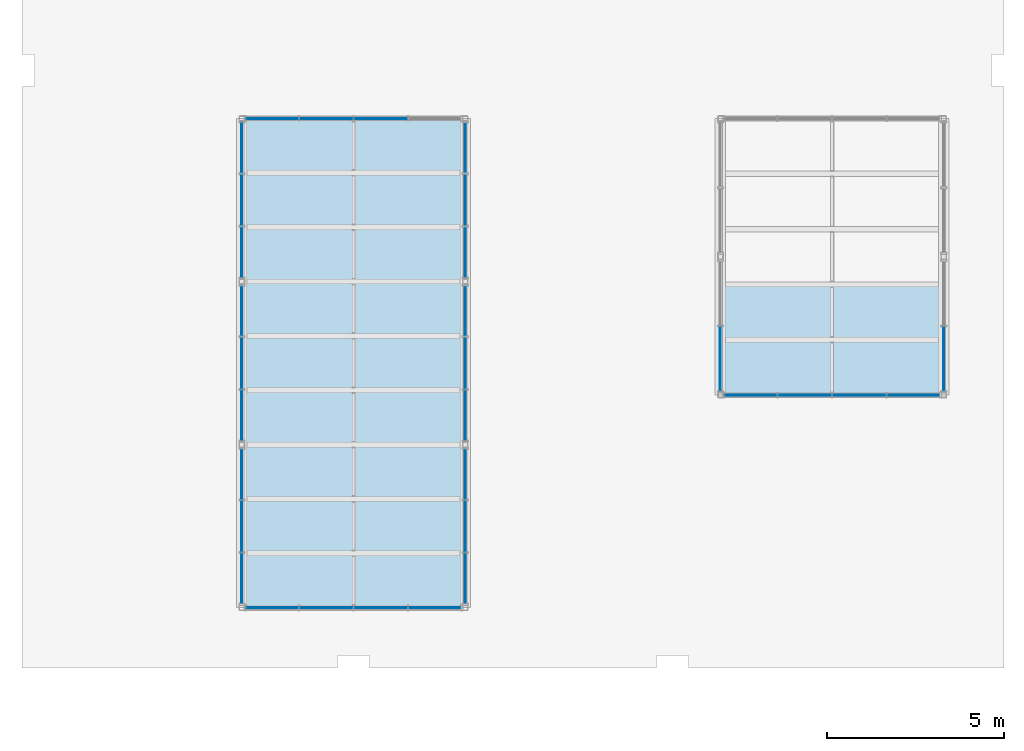
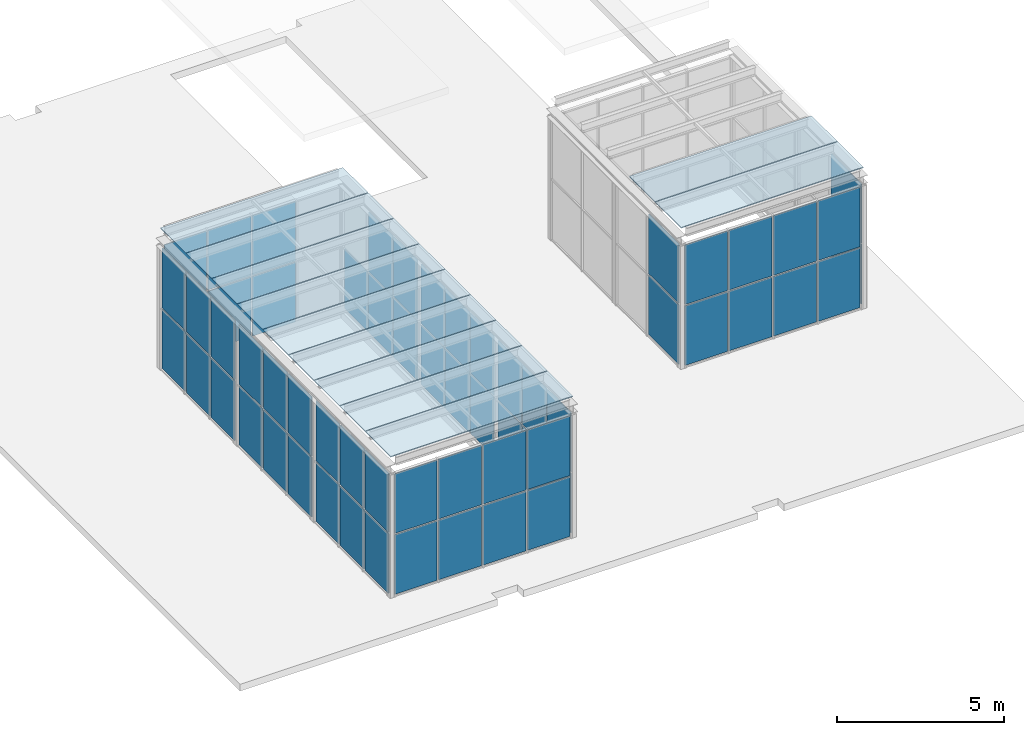
# One storey, part 14 of 25: 72 plates, 11 elements without a shape of their own.
"""IFC4 building model written with IfcOpenShell, lengths in metres."""

from ifc_helpers import new_model, si_unit, direction, frame, origin, origin_2d, place, context, subcontext, project, spatial, rectangle, extrude, material, layer, layer_set, type_object, element, aggregate, save


model = new_model("IFC4")

# Units and contexts
model_context = context("Model", 3, precision=1e-05, world=origin(), true_north=direction((0.0, 1.0)))
body_context = subcontext(model_context, "Body", "Model", "MODEL_VIEW")
ifc_project = project(units=[si_unit("LENGTHUNIT", "METRE"), si_unit("AREAUNIT", "SQUARE_METRE"), si_unit("VOLUMEUNIT", "CUBIC_METRE"), si_unit("PLANEANGLEUNIT", "RADIAN"), si_unit("MASSUNIT", "GRAM", prefix="KILO")], contexts=[model_context])

# Site, building, storey
site_placement = place(None, origin())
site = spatial("IfcSite", under=ifc_project, at=site_placement, CompositionType="ELEMENT")
building_placement = place(site_placement, origin())
building = spatial("IfcBuilding", under=site, at=building_placement, Name="Aurelan Courthouse", CompositionType="ELEMENT")
storey_placement = place(building_placement, frame((0.0, 0.0, 44.39990234375)))
storey = spatial("IfcBuildingStorey", under=building, at=storey_placement, Name="L08", CompositionType="ELEMENT", Elevation=44.39990234375)

# Curtain wall, plates
ifc_material_1 = material(Name="Bronze-finished aluminium and glass", Category="aluminium")
ifc_layer_1 = layer(ifc_material_1, 0.14990234375)
ifc_layer_set_1 = layer_set([ifc_layer_1], Name="Bronze-finished aluminium and glass")
curtain_wall_type_1 = type_object("IfcCurtainWallType", Name="Lantern wall 6150 x 4500", PredefinedType="NOTDEFINED", material=ifc_layer_set_1)
curtain_wall_1_placement = place(storey_placement, origin())
curtain_wall_1 = element("IfcCurtainWall", 1, at=curtain_wall_1_placement, inside=storey, type_object=curtain_wall_type_1, Name="Curtain wall CW-L08-V2101", PredefinedType="NOTDEFINED")
ifc_material_2 = material(Name="Laminated low-emissivity glass", Category="glass")
ifc_layer_2 = layer(ifc_material_2, 0.028076171875)
ifc_layer_set_2 = layer_set([ifc_layer_2], Name="Laminated low-emissivity glass")
plate_type_1 = type_object("IfcPlateType", Name="Lantern glass panel 28", PredefinedType="CURTAIN_PANEL", material=ifc_layer_set_2)
plate_1_placement = place(storey_placement, frame((42.706298828125, 38.85009765625, 0.05029296875), z_axis=(0.0, 0.0, 1.0), x_axis=(1.0, 0.0, 0.0)))
plate_1 = element("IfcPlate", 2, at=plate_1_placement, type_object=plate_type_1, Name="CW-L08-V2101 panel 1.1", PredefinedType="CURTAIN_PANEL", context=body_context, shape_type="SweptSolid", body=[
    extrude(rectangle(XDim=1.46240234375, YDim=0.028076171875, at=origin_2d()), origin(), (0.0, 0.0, 1.0), 2.175048828125),
])
plate_2_placement = place(storey_placement, frame((42.706298828125, 38.85009765625, 2.27490234375), z_axis=(0.0, 0.0, 1.0), x_axis=(1.0, 0.0, 0.0)))
plate_2 = element("IfcPlate", 3, at=plate_2_placement, type_object=plate_type_1, Name="CW-L08-V2101 panel 1.2", PredefinedType="CURTAIN_PANEL", context=body_context, shape_type="SweptSolid", body=[
    extrude(rectangle(XDim=1.46240234375, YDim=0.028076171875, at=origin_2d()), origin(), (0.0, 0.0, 1.0), 2.175048828125),
])
plate_3_placement = place(storey_placement, frame((44.231201171875, 38.85009765625, 0.05029296875), z_axis=(0.0, 0.0, 1.0), x_axis=(1.0, 0.0, 0.0)))
plate_3 = element("IfcPlate", 4, at=plate_3_placement, type_object=plate_type_1, Name="CW-L08-V2101 panel 2.1", PredefinedType="CURTAIN_PANEL", context=body_context, shape_type="SweptSolid", body=[
    extrude(rectangle(XDim=1.487548828125, YDim=0.028076171875, at=origin_2d()), origin(), (0.0, 0.0, 1.0), 2.175048828125),
])
plate_4_placement = place(storey_placement, frame((44.231201171875, 38.85009765625, 2.27490234375), z_axis=(0.0, 0.0, 1.0), x_axis=(1.0, 0.0, 0.0)))
plate_4 = element("IfcPlate", 5, at=plate_4_placement, type_object=plate_type_1, Name="CW-L08-V2101 panel 2.2", PredefinedType="CURTAIN_PANEL", context=body_context, shape_type="SweptSolid", body=[
    extrude(rectangle(XDim=1.487548828125, YDim=0.028076171875, at=origin_2d()), origin(), (0.0, 0.0, 1.0), 2.175048828125),
])
plate_5_placement = place(storey_placement, frame((45.768798828125, 38.85009765625, 0.05029296875), z_axis=(0.0, 0.0, 1.0), x_axis=(1.0, 0.0, 0.0)))
plate_5 = element("IfcPlate", 6, at=plate_5_placement, type_object=plate_type_1, Name="CW-L08-V2101 panel 3.1", PredefinedType="CURTAIN_PANEL", context=body_context, shape_type="SweptSolid", body=[
    extrude(rectangle(XDim=1.487548828125, YDim=0.028076171875, at=origin_2d()), origin(), (0.0, 0.0, 1.0), 2.175048828125),
])
plate_6_placement = place(storey_placement, frame((45.768798828125, 38.85009765625, 2.27490234375), z_axis=(0.0, 0.0, 1.0), x_axis=(1.0, 0.0, 0.0)))
plate_6 = element("IfcPlate", 7, at=plate_6_placement, type_object=plate_type_1, Name="CW-L08-V2101 panel 3.2", PredefinedType="CURTAIN_PANEL", context=body_context, shape_type="SweptSolid", body=[
    extrude(rectangle(XDim=1.487548828125, YDim=0.028076171875, at=origin_2d()), origin(), (0.0, 0.0, 1.0), 2.175048828125),
])
plate_7_placement = place(storey_placement, frame((47.293701171875, 38.85009765625, 0.05029296875), z_axis=(0.0, 0.0, 1.0), x_axis=(1.0, 0.0, 0.0)))
plate_7 = element("IfcPlate", 8, at=plate_7_placement, type_object=plate_type_1, Name="CW-L08-V2101 panel 4.1", PredefinedType="CURTAIN_PANEL", context=body_context, shape_type="SweptSolid", body=[
    extrude(rectangle(XDim=1.46240234375, YDim=0.028076171875, at=origin_2d()), origin(), (0.0, 0.0, 1.0), 2.175048828125),
])
plate_8_placement = place(storey_placement, frame((47.293701171875, 38.85009765625, 2.27490234375), z_axis=(0.0, 0.0, 1.0), x_axis=(1.0, 0.0, 0.0)))
plate_8 = element("IfcPlate", 9, at=plate_8_placement, type_object=plate_type_1, Name="CW-L08-V2101 panel 4.2", PredefinedType="CURTAIN_PANEL", context=body_context, shape_type="SweptSolid", body=[
    extrude(rectangle(XDim=1.46240234375, YDim=0.028076171875, at=origin_2d()), origin(), (0.0, 0.0, 1.0), 2.175048828125),
])
aggregate(curtain_wall_1, [plate_1, plate_2, plate_3, plate_4, plate_5, plate_6, plate_7, plate_8])

ifc_layer_3 = layer(ifc_material_1, 0.14990234375)
ifc_layer_set_3 = layer_set([ifc_layer_3], Name="Bronze-finished aluminium and glass")
curtain_wall_type_2 = type_object("IfcCurtainWallType", Name="Lantern wall 4450 x 4500", PredefinedType="NOTDEFINED", material=ifc_layer_set_3)
curtain_wall_2_placement = place(storey_placement, origin())
curtain_wall_2 = element("IfcCurtainWall", 10, at=curtain_wall_2_placement, inside=storey, type_object=curtain_wall_type_2, Name="Curtain wall CW-L08-V2102", PredefinedType="NOTDEFINED")
plate_9_placement = place(storey_placement, frame((41.85009765625, 39.67919921875, 0.05029296875), z_axis=(0.0, 0.0, 1.0), x_axis=(0.0, 1.0, 0.0)))
plate_9 = element("IfcPlate", 11, at=plate_9_placement, type_object=plate_type_1, Name="CW-L08-V2102 panel 1.1", PredefinedType="CURTAIN_PANEL", context=body_context, shape_type="SweptSolid", body=[
    extrude(rectangle(XDim=1.408447265625, YDim=0.028076171875, at=origin_2d()), origin(), (0.0, 0.0, 1.0), 2.175048828125),
])
plate_10_placement = place(storey_placement, frame((41.85009765625, 39.67919921875, 2.27490234375), z_axis=(0.0, 0.0, 1.0), x_axis=(0.0, 1.0, 0.0)))
plate_10 = element("IfcPlate", 12, at=plate_10_placement, type_object=plate_type_1, Name="CW-L08-V2102 panel 1.2", PredefinedType="CURTAIN_PANEL", context=body_context, shape_type="SweptSolid", body=[
    extrude(rectangle(XDim=1.408447265625, YDim=0.028076171875, at=origin_2d()), origin(), (0.0, 0.0, 1.0), 2.175048828125),
])
plate_11_placement = place(storey_placement, frame((41.85009765625, 41.14990234375, 0.05029296875), z_axis=(0.0, 0.0, 1.0), x_axis=(0.0, 1.0, 0.0)))
plate_11 = element("IfcPlate", 13, at=plate_11_placement, type_object=plate_type_1, Name="CW-L08-V2102 panel 2.1", PredefinedType="CURTAIN_PANEL", context=body_context, shape_type="SweptSolid", body=[
    extrude(rectangle(XDim=1.433349609375, YDim=0.028076171875, at=origin_2d()), origin(), (0.0, 0.0, 1.0), 2.175048828125),
])
plate_12_placement = place(storey_placement, frame((41.85009765625, 41.14990234375, 2.27490234375), z_axis=(0.0, 0.0, 1.0), x_axis=(0.0, 1.0, 0.0)))
plate_12 = element("IfcPlate", 14, at=plate_12_placement, type_object=plate_type_1, Name="CW-L08-V2102 panel 2.2", PredefinedType="CURTAIN_PANEL", context=body_context, shape_type="SweptSolid", body=[
    extrude(rectangle(XDim=1.433349609375, YDim=0.028076171875, at=origin_2d()), origin(), (0.0, 0.0, 1.0), 2.175048828125),
])
plate_13_placement = place(storey_placement, frame((41.85009765625, 42.620849609375, 0.05029296875), z_axis=(0.0, 0.0, 1.0), x_axis=(0.0, 1.0, 0.0)))
plate_13 = element("IfcPlate", 15, at=plate_13_placement, type_object=plate_type_1, Name="CW-L08-V2102 panel 3.1", PredefinedType="CURTAIN_PANEL", context=body_context, shape_type="SweptSolid", body=[
    extrude(rectangle(XDim=1.408447265625, YDim=0.028076171875, at=origin_2d()), origin(), (0.0, 0.0, 1.0), 2.175048828125),
])
plate_14_placement = place(storey_placement, frame((41.85009765625, 42.620849609375, 2.27490234375), z_axis=(0.0, 0.0, 1.0), x_axis=(0.0, 1.0, 0.0)))
plate_14 = element("IfcPlate", 16, at=plate_14_placement, type_object=plate_type_1, Name="CW-L08-V2102 panel 3.2", PredefinedType="CURTAIN_PANEL", context=body_context, shape_type="SweptSolid", body=[
    extrude(rectangle(XDim=1.408447265625, YDim=0.028076171875, at=origin_2d()), origin(), (0.0, 0.0, 1.0), 2.175048828125),
])
aggregate(curtain_wall_2, [plate_9, plate_10, plate_11, plate_12, plate_13, plate_14])

curtain_wall_3_placement = place(storey_placement, origin())
curtain_wall_3 = element("IfcCurtainWall", 17, at=curtain_wall_3_placement, inside=storey, type_object=curtain_wall_type_2, Name="Curtain wall CW-L08-V2103", PredefinedType="NOTDEFINED")
plate_15_placement = place(storey_placement, frame((48.14990234375, 39.67919921875, 0.05029296875), z_axis=(0.0, 0.0, 1.0), x_axis=(0.0, 1.0, 0.0)))
plate_15 = element("IfcPlate", 18, at=plate_15_placement, type_object=plate_type_1, Name="CW-L08-V2103 panel 1.1", PredefinedType="CURTAIN_PANEL", context=body_context, shape_type="SweptSolid", body=[
    extrude(rectangle(XDim=1.408447265625, YDim=0.028076171875, at=origin_2d()), origin(), (0.0, 0.0, 1.0), 2.175048828125),
])
plate_16_placement = place(storey_placement, frame((48.14990234375, 39.67919921875, 2.27490234375), z_axis=(0.0, 0.0, 1.0), x_axis=(0.0, 1.0, 0.0)))
plate_16 = element("IfcPlate", 19, at=plate_16_placement, type_object=plate_type_1, Name="CW-L08-V2103 panel 1.2", PredefinedType="CURTAIN_PANEL", context=body_context, shape_type="SweptSolid", body=[
    extrude(rectangle(XDim=1.408447265625, YDim=0.028076171875, at=origin_2d()), origin(), (0.0, 0.0, 1.0), 2.175048828125),
])
plate_17_placement = place(storey_placement, frame((48.14990234375, 41.14990234375, 0.05029296875), z_axis=(0.0, 0.0, 1.0), x_axis=(0.0, 1.0, 0.0)))
plate_17 = element("IfcPlate", 20, at=plate_17_placement, type_object=plate_type_1, Name="CW-L08-V2103 panel 2.1", PredefinedType="CURTAIN_PANEL", context=body_context, shape_type="SweptSolid", body=[
    extrude(rectangle(XDim=1.433349609375, YDim=0.028076171875, at=origin_2d()), origin(), (0.0, 0.0, 1.0), 2.175048828125),
])
plate_18_placement = place(storey_placement, frame((48.14990234375, 41.14990234375, 2.27490234375), z_axis=(0.0, 0.0, 1.0), x_axis=(0.0, 1.0, 0.0)))
plate_18 = element("IfcPlate", 21, at=plate_18_placement, type_object=plate_type_1, Name="CW-L08-V2103 panel 2.2", PredefinedType="CURTAIN_PANEL", context=body_context, shape_type="SweptSolid", body=[
    extrude(rectangle(XDim=1.433349609375, YDim=0.028076171875, at=origin_2d()), origin(), (0.0, 0.0, 1.0), 2.175048828125),
])
plate_19_placement = place(storey_placement, frame((48.14990234375, 42.620849609375, 0.05029296875), z_axis=(0.0, 0.0, 1.0), x_axis=(0.0, 1.0, 0.0)))
plate_19 = element("IfcPlate", 22, at=plate_19_placement, type_object=plate_type_1, Name="CW-L08-V2103 panel 3.1", PredefinedType="CURTAIN_PANEL", context=body_context, shape_type="SweptSolid", body=[
    extrude(rectangle(XDim=1.408447265625, YDim=0.028076171875, at=origin_2d()), origin(), (0.0, 0.0, 1.0), 2.175048828125),
])
plate_20_placement = place(storey_placement, frame((48.14990234375, 42.620849609375, 2.27490234375), z_axis=(0.0, 0.0, 1.0), x_axis=(0.0, 1.0, 0.0)))
plate_20 = element("IfcPlate", 23, at=plate_20_placement, type_object=plate_type_1, Name="CW-L08-V2103 panel 3.2", PredefinedType="CURTAIN_PANEL", context=body_context, shape_type="SweptSolid", body=[
    extrude(rectangle(XDim=1.408447265625, YDim=0.028076171875, at=origin_2d()), origin(), (0.0, 0.0, 1.0), 2.175048828125),
])
aggregate(curtain_wall_3, [plate_15, plate_16, plate_17, plate_18, plate_19, plate_20])

curtain_wall_4_placement = place(storey_placement, origin())
curtain_wall_4 = element("IfcCurtainWall", 24, at=curtain_wall_4_placement, inside=storey, type_object=curtain_wall_type_2, Name="Curtain wall CW-L08-V2104", PredefinedType="NOTDEFINED")
plate_21_placement = place(storey_placement, frame((41.85009765625, 44.279052734375, 0.05029296875), z_axis=(0.0, 0.0, 1.0), x_axis=(0.0, 1.0, 0.0)))
plate_21 = element("IfcPlate", 25, at=plate_21_placement, type_object=plate_type_1, Name="CW-L08-V2104 panel 1.1", PredefinedType="CURTAIN_PANEL", context=body_context, shape_type="SweptSolid", body=[
    extrude(rectangle(XDim=1.408447265625, YDim=0.028076171875, at=origin_2d()), origin(), (0.0, 0.0, 1.0), 2.175048828125),
])
plate_22_placement = place(storey_placement, frame((41.85009765625, 44.279052734375, 2.27490234375), z_axis=(0.0, 0.0, 1.0), x_axis=(0.0, 1.0, 0.0)))
plate_22 = element("IfcPlate", 26, at=plate_22_placement, type_object=plate_type_1, Name="CW-L08-V2104 panel 1.2", PredefinedType="CURTAIN_PANEL", context=body_context, shape_type="SweptSolid", body=[
    extrude(rectangle(XDim=1.408447265625, YDim=0.028076171875, at=origin_2d()), origin(), (0.0, 0.0, 1.0), 2.175048828125),
])
plate_23_placement = place(storey_placement, frame((41.85009765625, 45.75, 0.05029296875), z_axis=(0.0, 0.0, 1.0), x_axis=(0.0, 1.0, 0.0)))
plate_23 = element("IfcPlate", 27, at=plate_23_placement, type_object=plate_type_1, Name="CW-L08-V2104 panel 2.1", PredefinedType="CURTAIN_PANEL", context=body_context, shape_type="SweptSolid", body=[
    extrude(rectangle(XDim=1.433349609375, YDim=0.028076171875, at=origin_2d()), origin(), (0.0, 0.0, 1.0), 2.175048828125),
])
plate_24_placement = place(storey_placement, frame((41.85009765625, 45.75, 2.27490234375), z_axis=(0.0, 0.0, 1.0), x_axis=(0.0, 1.0, 0.0)))
plate_24 = element("IfcPlate", 28, at=plate_24_placement, type_object=plate_type_1, Name="CW-L08-V2104 panel 2.2", PredefinedType="CURTAIN_PANEL", context=body_context, shape_type="SweptSolid", body=[
    extrude(rectangle(XDim=1.433349609375, YDim=0.028076171875, at=origin_2d()), origin(), (0.0, 0.0, 1.0), 2.175048828125),
])
plate_25_placement = place(storey_placement, frame((41.85009765625, 47.220947265625, 0.05029296875), z_axis=(0.0, 0.0, 1.0), x_axis=(0.0, 1.0, 0.0)))
plate_25 = element("IfcPlate", 29, at=plate_25_placement, type_object=plate_type_1, Name="CW-L08-V2104 panel 3.1", PredefinedType="CURTAIN_PANEL", context=body_context, shape_type="SweptSolid", body=[
    extrude(rectangle(XDim=1.408447265625, YDim=0.028076171875, at=origin_2d()), origin(), (0.0, 0.0, 1.0), 2.175048828125),
])
plate_26_placement = place(storey_placement, frame((41.85009765625, 47.220947265625, 2.27490234375), z_axis=(0.0, 0.0, 1.0), x_axis=(0.0, 1.0, 0.0)))
plate_26 = element("IfcPlate", 30, at=plate_26_placement, type_object=plate_type_1, Name="CW-L08-V2104 panel 3.2", PredefinedType="CURTAIN_PANEL", context=body_context, shape_type="SweptSolid", body=[
    extrude(rectangle(XDim=1.408447265625, YDim=0.028076171875, at=origin_2d()), origin(), (0.0, 0.0, 1.0), 2.175048828125),
])
aggregate(curtain_wall_4, [plate_21, plate_22, plate_23, plate_24, plate_25, plate_26])

curtain_wall_5_placement = place(storey_placement, origin())
curtain_wall_5 = element("IfcCurtainWall", 31, at=curtain_wall_5_placement, inside=storey, type_object=curtain_wall_type_2, Name="Curtain wall CW-L08-V2105", PredefinedType="NOTDEFINED")
plate_27_placement = place(storey_placement, frame((48.14990234375, 44.279052734375, 0.05029296875), z_axis=(0.0, 0.0, 1.0), x_axis=(0.0, 1.0, 0.0)))
plate_27 = element("IfcPlate", 32, at=plate_27_placement, type_object=plate_type_1, Name="CW-L08-V2105 panel 1.1", PredefinedType="CURTAIN_PANEL", context=body_context, shape_type="SweptSolid", body=[
    extrude(rectangle(XDim=1.408447265625, YDim=0.028076171875, at=origin_2d()), origin(), (0.0, 0.0, 1.0), 2.175048828125),
])
plate_28_placement = place(storey_placement, frame((48.14990234375, 44.279052734375, 2.27490234375), z_axis=(0.0, 0.0, 1.0), x_axis=(0.0, 1.0, 0.0)))
plate_28 = element("IfcPlate", 33, at=plate_28_placement, type_object=plate_type_1, Name="CW-L08-V2105 panel 1.2", PredefinedType="CURTAIN_PANEL", context=body_context, shape_type="SweptSolid", body=[
    extrude(rectangle(XDim=1.408447265625, YDim=0.028076171875, at=origin_2d()), origin(), (0.0, 0.0, 1.0), 2.175048828125),
])
plate_29_placement = place(storey_placement, frame((48.14990234375, 45.75, 0.05029296875), z_axis=(0.0, 0.0, 1.0), x_axis=(0.0, 1.0, 0.0)))
plate_29 = element("IfcPlate", 34, at=plate_29_placement, type_object=plate_type_1, Name="CW-L08-V2105 panel 2.1", PredefinedType="CURTAIN_PANEL", context=body_context, shape_type="SweptSolid", body=[
    extrude(rectangle(XDim=1.433349609375, YDim=0.028076171875, at=origin_2d()), origin(), (0.0, 0.0, 1.0), 2.175048828125),
])
plate_30_placement = place(storey_placement, frame((48.14990234375, 45.75, 2.27490234375), z_axis=(0.0, 0.0, 1.0), x_axis=(0.0, 1.0, 0.0)))
plate_30 = element("IfcPlate", 35, at=plate_30_placement, type_object=plate_type_1, Name="CW-L08-V2105 panel 2.2", PredefinedType="CURTAIN_PANEL", context=body_context, shape_type="SweptSolid", body=[
    extrude(rectangle(XDim=1.433349609375, YDim=0.028076171875, at=origin_2d()), origin(), (0.0, 0.0, 1.0), 2.175048828125),
])
plate_31_placement = place(storey_placement, frame((48.14990234375, 47.220947265625, 0.05029296875), z_axis=(0.0, 0.0, 1.0), x_axis=(0.0, 1.0, 0.0)))
plate_31 = element("IfcPlate", 36, at=plate_31_placement, type_object=plate_type_1, Name="CW-L08-V2105 panel 3.1", PredefinedType="CURTAIN_PANEL", context=body_context, shape_type="SweptSolid", body=[
    extrude(rectangle(XDim=1.408447265625, YDim=0.028076171875, at=origin_2d()), origin(), (0.0, 0.0, 1.0), 2.175048828125),
])
plate_32_placement = place(storey_placement, frame((48.14990234375, 47.220947265625, 2.27490234375), z_axis=(0.0, 0.0, 1.0), x_axis=(0.0, 1.0, 0.0)))
plate_32 = element("IfcPlate", 37, at=plate_32_placement, type_object=plate_type_1, Name="CW-L08-V2105 panel 3.2", PredefinedType="CURTAIN_PANEL", context=body_context, shape_type="SweptSolid", body=[
    extrude(rectangle(XDim=1.408447265625, YDim=0.028076171875, at=origin_2d()), origin(), (0.0, 0.0, 1.0), 2.175048828125),
])
aggregate(curtain_wall_5, [plate_27, plate_28, plate_29, plate_30, plate_31, plate_32])

curtain_wall_6_placement = place(storey_placement, origin())
curtain_wall_6 = element("IfcCurtainWall", 38, at=curtain_wall_6_placement, inside=storey, type_object=curtain_wall_type_2, Name="Curtain wall CW-L08-V2106", PredefinedType="NOTDEFINED")
plate_33_placement = place(storey_placement, frame((41.85009765625, 48.879150390625, 0.05029296875), z_axis=(0.0, 0.0, 1.0), x_axis=(0.0, 1.0, 0.0)))
plate_33 = element("IfcPlate", 39, at=plate_33_placement, type_object=plate_type_1, Name="CW-L08-V2106 panel 1.1", PredefinedType="CURTAIN_PANEL", context=body_context, shape_type="SweptSolid", body=[
    extrude(rectangle(XDim=1.408447265625, YDim=0.028076171875, at=origin_2d()), origin(), (0.0, 0.0, 1.0), 2.175048828125),
])
plate_34_placement = place(storey_placement, frame((41.85009765625, 48.879150390625, 2.27490234375), z_axis=(0.0, 0.0, 1.0), x_axis=(0.0, 1.0, 0.0)))
plate_34 = element("IfcPlate", 40, at=plate_34_placement, type_object=plate_type_1, Name="CW-L08-V2106 panel 1.2", PredefinedType="CURTAIN_PANEL", context=body_context, shape_type="SweptSolid", body=[
    extrude(rectangle(XDim=1.408447265625, YDim=0.028076171875, at=origin_2d()), origin(), (0.0, 0.0, 1.0), 2.175048828125),
])
plate_35_placement = place(storey_placement, frame((41.85009765625, 50.35009765625, 0.05029296875), z_axis=(0.0, 0.0, 1.0), x_axis=(0.0, 1.0, 0.0)))
plate_35 = element("IfcPlate", 41, at=plate_35_placement, type_object=plate_type_1, Name="CW-L08-V2106 panel 2.1", PredefinedType="CURTAIN_PANEL", context=body_context, shape_type="SweptSolid", body=[
    extrude(rectangle(XDim=1.433349609375, YDim=0.028076171875, at=origin_2d()), origin(), (0.0, 0.0, 1.0), 2.175048828125),
])
plate_36_placement = place(storey_placement, frame((41.85009765625, 50.35009765625, 2.27490234375), z_axis=(0.0, 0.0, 1.0), x_axis=(0.0, 1.0, 0.0)))
plate_36 = element("IfcPlate", 42, at=plate_36_placement, type_object=plate_type_1, Name="CW-L08-V2106 panel 2.2", PredefinedType="CURTAIN_PANEL", context=body_context, shape_type="SweptSolid", body=[
    extrude(rectangle(XDim=1.433349609375, YDim=0.028076171875, at=origin_2d()), origin(), (0.0, 0.0, 1.0), 2.175048828125),
])
plate_37_placement = place(storey_placement, frame((41.85009765625, 51.82080078125, 0.05029296875), z_axis=(0.0, 0.0, 1.0), x_axis=(0.0, 1.0, 0.0)))
plate_37 = element("IfcPlate", 43, at=plate_37_placement, type_object=plate_type_1, Name="CW-L08-V2106 panel 3.1", PredefinedType="CURTAIN_PANEL", context=body_context, shape_type="SweptSolid", body=[
    extrude(rectangle(XDim=1.408447265625, YDim=0.028076171875, at=origin_2d()), origin(), (0.0, 0.0, 1.0), 2.175048828125),
])
plate_38_placement = place(storey_placement, frame((41.85009765625, 51.82080078125, 2.27490234375), z_axis=(0.0, 0.0, 1.0), x_axis=(0.0, 1.0, 0.0)))
plate_38 = element("IfcPlate", 44, at=plate_38_placement, type_object=plate_type_1, Name="CW-L08-V2106 panel 3.2", PredefinedType="CURTAIN_PANEL", context=body_context, shape_type="SweptSolid", body=[
    extrude(rectangle(XDim=1.408447265625, YDim=0.028076171875, at=origin_2d()), origin(), (0.0, 0.0, 1.0), 2.175048828125),
])
aggregate(curtain_wall_6, [plate_33, plate_34, plate_35, plate_36, plate_37, plate_38])

curtain_wall_7_placement = place(storey_placement, origin())
curtain_wall_7 = element("IfcCurtainWall", 45, at=curtain_wall_7_placement, inside=storey, type_object=curtain_wall_type_2, Name="Curtain wall CW-L08-V2107", PredefinedType="NOTDEFINED")
plate_39_placement = place(storey_placement, frame((48.14990234375, 48.879150390625, 0.05029296875), z_axis=(0.0, 0.0, 1.0), x_axis=(0.0, 1.0, 0.0)))
plate_39 = element("IfcPlate", 46, at=plate_39_placement, type_object=plate_type_1, Name="CW-L08-V2107 panel 1.1", PredefinedType="CURTAIN_PANEL", context=body_context, shape_type="SweptSolid", body=[
    extrude(rectangle(XDim=1.408447265625, YDim=0.028076171875, at=origin_2d()), origin(), (0.0, 0.0, 1.0), 2.175048828125),
])
plate_40_placement = place(storey_placement, frame((48.14990234375, 48.879150390625, 2.27490234375), z_axis=(0.0, 0.0, 1.0), x_axis=(0.0, 1.0, 0.0)))
plate_40 = element("IfcPlate", 47, at=plate_40_placement, type_object=plate_type_1, Name="CW-L08-V2107 panel 1.2", PredefinedType="CURTAIN_PANEL", context=body_context, shape_type="SweptSolid", body=[
    extrude(rectangle(XDim=1.408447265625, YDim=0.028076171875, at=origin_2d()), origin(), (0.0, 0.0, 1.0), 2.175048828125),
])
plate_41_placement = place(storey_placement, frame((48.14990234375, 50.35009765625, 0.05029296875), z_axis=(0.0, 0.0, 1.0), x_axis=(0.0, 1.0, 0.0)))
plate_41 = element("IfcPlate", 48, at=plate_41_placement, type_object=plate_type_1, Name="CW-L08-V2107 panel 2.1", PredefinedType="CURTAIN_PANEL", context=body_context, shape_type="SweptSolid", body=[
    extrude(rectangle(XDim=1.433349609375, YDim=0.028076171875, at=origin_2d()), origin(), (0.0, 0.0, 1.0), 2.175048828125),
])
plate_42_placement = place(storey_placement, frame((48.14990234375, 50.35009765625, 2.27490234375), z_axis=(0.0, 0.0, 1.0), x_axis=(0.0, 1.0, 0.0)))
plate_42 = element("IfcPlate", 49, at=plate_42_placement, type_object=plate_type_1, Name="CW-L08-V2107 panel 2.2", PredefinedType="CURTAIN_PANEL", context=body_context, shape_type="SweptSolid", body=[
    extrude(rectangle(XDim=1.433349609375, YDim=0.028076171875, at=origin_2d()), origin(), (0.0, 0.0, 1.0), 2.175048828125),
])
plate_43_placement = place(storey_placement, frame((48.14990234375, 51.82080078125, 0.05029296875), z_axis=(0.0, 0.0, 1.0), x_axis=(0.0, 1.0, 0.0)))
plate_43 = element("IfcPlate", 50, at=plate_43_placement, type_object=plate_type_1, Name="CW-L08-V2107 panel 3.1", PredefinedType="CURTAIN_PANEL", context=body_context, shape_type="SweptSolid", body=[
    extrude(rectangle(XDim=1.408447265625, YDim=0.028076171875, at=origin_2d()), origin(), (0.0, 0.0, 1.0), 2.175048828125),
])
aggregate(curtain_wall_7, [plate_39, plate_40, plate_41, plate_42, plate_43])

curtain_wall_8_placement = place(storey_placement, origin())
curtain_wall_8 = element("IfcCurtainWall", 51, at=curtain_wall_8_placement, inside=storey, type_object=curtain_wall_type_1, Name="Curtain wall CW-L08-V2108", PredefinedType="NOTDEFINED")
plate_44_placement = place(storey_placement, frame((42.706298828125, 52.64990234375, 0.05029296875), z_axis=(0.0, 0.0, 1.0), x_axis=(1.0, 0.0, 0.0)))
plate_44 = element("IfcPlate", 52, at=plate_44_placement, type_object=plate_type_1, Name="CW-L08-V2108 panel 1.1", PredefinedType="CURTAIN_PANEL", context=body_context, shape_type="SweptSolid", body=[
    extrude(rectangle(XDim=1.46240234375, YDim=0.028076171875, at=origin_2d()), origin(), (0.0, 0.0, 1.0), 2.175048828125),
])
plate_45_placement = place(storey_placement, frame((42.706298828125, 52.64990234375, 2.27490234375), z_axis=(0.0, 0.0, 1.0), x_axis=(1.0, 0.0, 0.0)))
plate_45 = element("IfcPlate", 53, at=plate_45_placement, type_object=plate_type_1, Name="CW-L08-V2108 panel 1.2", PredefinedType="CURTAIN_PANEL", context=body_context, shape_type="SweptSolid", body=[
    extrude(rectangle(XDim=1.46240234375, YDim=0.028076171875, at=origin_2d()), origin(), (0.0, 0.0, 1.0), 2.175048828125),
])
plate_46_placement = place(storey_placement, frame((44.231201171875, 52.64990234375, 0.05029296875), z_axis=(0.0, 0.0, 1.0), x_axis=(1.0, 0.0, 0.0)))
plate_46 = element("IfcPlate", 54, at=plate_46_placement, type_object=plate_type_1, Name="CW-L08-V2108 panel 2.1", PredefinedType="CURTAIN_PANEL", context=body_context, shape_type="SweptSolid", body=[
    extrude(rectangle(XDim=1.487548828125, YDim=0.028076171875, at=origin_2d()), origin(), (0.0, 0.0, 1.0), 2.175048828125),
])
plate_47_placement = place(storey_placement, frame((44.231201171875, 52.64990234375, 2.27490234375), z_axis=(0.0, 0.0, 1.0), x_axis=(1.0, 0.0, 0.0)))
plate_47 = element("IfcPlate", 55, at=plate_47_placement, type_object=plate_type_1, Name="CW-L08-V2108 panel 2.2", PredefinedType="CURTAIN_PANEL", context=body_context, shape_type="SweptSolid", body=[
    extrude(rectangle(XDim=1.487548828125, YDim=0.028076171875, at=origin_2d()), origin(), (0.0, 0.0, 1.0), 2.175048828125),
])
plate_48_placement = place(storey_placement, frame((45.768798828125, 52.64990234375, 0.05029296875), z_axis=(0.0, 0.0, 1.0), x_axis=(1.0, 0.0, 0.0)))
plate_48 = element("IfcPlate", 56, at=plate_48_placement, type_object=plate_type_1, Name="CW-L08-V2108 panel 3.1", PredefinedType="CURTAIN_PANEL", context=body_context, shape_type="SweptSolid", body=[
    extrude(rectangle(XDim=1.487548828125, YDim=0.028076171875, at=origin_2d()), origin(), (0.0, 0.0, 1.0), 2.175048828125),
])
plate_49_placement = place(storey_placement, frame((45.768798828125, 52.64990234375, 2.27490234375), z_axis=(0.0, 0.0, 1.0), x_axis=(1.0, 0.0, 0.0)))
plate_49 = element("IfcPlate", 57, at=plate_49_placement, type_object=plate_type_1, Name="CW-L08-V2108 panel 3.2", PredefinedType="CURTAIN_PANEL", context=body_context, shape_type="SweptSolid", body=[
    extrude(rectangle(XDim=1.487548828125, YDim=0.028076171875, at=origin_2d()), origin(), (0.0, 0.0, 1.0), 2.175048828125),
])
aggregate(curtain_wall_8, [plate_44, plate_45, plate_46, plate_47, plate_48, plate_49])

curtain_wall_9_placement = place(storey_placement, origin())
curtain_wall_9 = element("IfcCurtainWall", 58, at=curtain_wall_9_placement, inside=storey, type_object=curtain_wall_type_1, Name="Curtain wall CW-L08-V2201", PredefinedType="NOTDEFINED")
plate_50_placement = place(storey_placement, frame((56.206298828125, 44.85009765625, 0.05029296875), z_axis=(0.0, 0.0, 1.0), x_axis=(1.0, 0.0, 0.0)))
plate_50 = element("IfcPlate", 59, at=plate_50_placement, type_object=plate_type_1, Name="CW-L08-V2201 panel 1.1", PredefinedType="CURTAIN_PANEL", context=body_context, shape_type="SweptSolid", body=[
    extrude(rectangle(XDim=1.46240234375, YDim=0.028076171875, at=origin_2d()), origin(), (0.0, 0.0, 1.0), 2.175048828125),
])
plate_51_placement = place(storey_placement, frame((56.206298828125, 44.85009765625, 2.27490234375), z_axis=(0.0, 0.0, 1.0), x_axis=(1.0, 0.0, 0.0)))
plate_51 = element("IfcPlate", 60, at=plate_51_placement, type_object=plate_type_1, Name="CW-L08-V2201 panel 1.2", PredefinedType="CURTAIN_PANEL", context=body_context, shape_type="SweptSolid", body=[
    extrude(rectangle(XDim=1.46240234375, YDim=0.028076171875, at=origin_2d()), origin(), (0.0, 0.0, 1.0), 2.175048828125),
])
plate_52_placement = place(storey_placement, frame((57.731201171875, 44.85009765625, 0.05029296875), z_axis=(0.0, 0.0, 1.0), x_axis=(1.0, 0.0, 0.0)))
plate_52 = element("IfcPlate", 61, at=plate_52_placement, type_object=plate_type_1, Name="CW-L08-V2201 panel 2.1", PredefinedType="CURTAIN_PANEL", context=body_context, shape_type="SweptSolid", body=[
    extrude(rectangle(XDim=1.487548828125, YDim=0.028076171875, at=origin_2d()), origin(), (0.0, 0.0, 1.0), 2.175048828125),
])
plate_53_placement = place(storey_placement, frame((57.731201171875, 44.85009765625, 2.27490234375), z_axis=(0.0, 0.0, 1.0), x_axis=(1.0, 0.0, 0.0)))
plate_53 = element("IfcPlate", 62, at=plate_53_placement, type_object=plate_type_1, Name="CW-L08-V2201 panel 2.2", PredefinedType="CURTAIN_PANEL", context=body_context, shape_type="SweptSolid", body=[
    extrude(rectangle(XDim=1.487548828125, YDim=0.028076171875, at=origin_2d()), origin(), (0.0, 0.0, 1.0), 2.175048828125),
])
plate_54_placement = place(storey_placement, frame((59.268798828125, 44.85009765625, 0.05029296875), z_axis=(0.0, 0.0, 1.0), x_axis=(1.0, 0.0, 0.0)))
plate_54 = element("IfcPlate", 63, at=plate_54_placement, type_object=plate_type_1, Name="CW-L08-V2201 panel 3.1", PredefinedType="CURTAIN_PANEL", context=body_context, shape_type="SweptSolid", body=[
    extrude(rectangle(XDim=1.487548828125, YDim=0.028076171875, at=origin_2d()), origin(), (0.0, 0.0, 1.0), 2.175048828125),
])
plate_55_placement = place(storey_placement, frame((59.268798828125, 44.85009765625, 2.27490234375), z_axis=(0.0, 0.0, 1.0), x_axis=(1.0, 0.0, 0.0)))
plate_55 = element("IfcPlate", 64, at=plate_55_placement, type_object=plate_type_1, Name="CW-L08-V2201 panel 3.2", PredefinedType="CURTAIN_PANEL", context=body_context, shape_type="SweptSolid", body=[
    extrude(rectangle(XDim=1.487548828125, YDim=0.028076171875, at=origin_2d()), origin(), (0.0, 0.0, 1.0), 2.175048828125),
])
plate_56_placement = place(storey_placement, frame((60.793701171875, 44.85009765625, 0.05029296875), z_axis=(0.0, 0.0, 1.0), x_axis=(1.0, 0.0, 0.0)))
plate_56 = element("IfcPlate", 65, at=plate_56_placement, type_object=plate_type_1, Name="CW-L08-V2201 panel 4.1", PredefinedType="CURTAIN_PANEL", context=body_context, shape_type="SweptSolid", body=[
    extrude(rectangle(XDim=1.46240234375, YDim=0.028076171875, at=origin_2d()), origin(), (0.0, 0.0, 1.0), 2.175048828125),
])
plate_57_placement = place(storey_placement, frame((60.793701171875, 44.85009765625, 2.27490234375), z_axis=(0.0, 0.0, 1.0), x_axis=(1.0, 0.0, 0.0)))
plate_57 = element("IfcPlate", 66, at=plate_57_placement, type_object=plate_type_1, Name="CW-L08-V2201 panel 4.2", PredefinedType="CURTAIN_PANEL", context=body_context, shape_type="SweptSolid", body=[
    extrude(rectangle(XDim=1.46240234375, YDim=0.028076171875, at=origin_2d()), origin(), (0.0, 0.0, 1.0), 2.175048828125),
])
aggregate(curtain_wall_9, [plate_50, plate_51, plate_52, plate_53, plate_54, plate_55, plate_56, plate_57])

ifc_layer_4 = layer(ifc_material_1, 0.14990234375)
ifc_layer_set_4 = layer_set([ifc_layer_4], Name="Bronze-finished aluminium and glass")
curtain_wall_type_3 = type_object("IfcCurtainWallType", Name="Lantern wall 3750 x 4500", PredefinedType="NOTDEFINED", material=ifc_layer_set_4)
curtain_wall_10_placement = place(storey_placement, origin())
curtain_wall_10 = element("IfcCurtainWall", 67, at=curtain_wall_10_placement, inside=storey, type_object=curtain_wall_type_3, Name="Curtain wall CW-L08-V2202", PredefinedType="NOTDEFINED")
plate_58_placement = place(storey_placement, frame((55.35009765625, 45.875, 0.05029296875), z_axis=(0.0, 0.0, 1.0), x_axis=(0.0, 1.0, 0.0)))
plate_58 = element("IfcPlate", 68, at=plate_58_placement, type_object=plate_type_1, Name="CW-L08-V2202 panel 1.1", PredefinedType="CURTAIN_PANEL", context=body_context, shape_type="SweptSolid", body=[
    extrude(rectangle(XDim=1.800048828125, YDim=0.028076171875, at=origin_2d()), origin(), (0.0, 0.0, 1.0), 2.175048828125),
])
plate_59_placement = place(storey_placement, frame((55.35009765625, 45.875, 2.27490234375), z_axis=(0.0, 0.0, 1.0), x_axis=(0.0, 1.0, 0.0)))
plate_59 = element("IfcPlate", 69, at=plate_59_placement, type_object=plate_type_1, Name="CW-L08-V2202 panel 1.2", PredefinedType="CURTAIN_PANEL", context=body_context, shape_type="SweptSolid", body=[
    extrude(rectangle(XDim=1.800048828125, YDim=0.028076171875, at=origin_2d()), origin(), (0.0, 0.0, 1.0), 2.175048828125),
])
aggregate(curtain_wall_10, [plate_58, plate_59])

curtain_wall_11_placement = place(storey_placement, origin())
curtain_wall_11 = element("IfcCurtainWall", 70, at=curtain_wall_11_placement, inside=storey, type_object=curtain_wall_type_3, Name="Curtain wall CW-L08-V2203", PredefinedType="NOTDEFINED")
plate_60_placement = place(storey_placement, frame((61.64990234375, 45.875, 0.05029296875), z_axis=(0.0, 0.0, 1.0), x_axis=(0.0, 1.0, 0.0)))
plate_60 = element("IfcPlate", 71, at=plate_60_placement, type_object=plate_type_1, Name="CW-L08-V2203 panel 1.1", PredefinedType="CURTAIN_PANEL", context=body_context, shape_type="SweptSolid", body=[
    extrude(rectangle(XDim=1.800048828125, YDim=0.028076171875, at=origin_2d()), origin(), (0.0, 0.0, 1.0), 2.175048828125),
])
plate_61_placement = place(storey_placement, frame((61.64990234375, 45.875, 2.27490234375), z_axis=(0.0, 0.0, 1.0), x_axis=(0.0, 1.0, 0.0)))
plate_61 = element("IfcPlate", 72, at=plate_61_placement, type_object=plate_type_1, Name="CW-L08-V2203 panel 1.2", PredefinedType="CURTAIN_PANEL", context=body_context, shape_type="SweptSolid", body=[
    extrude(rectangle(XDim=1.800048828125, YDim=0.028076171875, at=origin_2d()), origin(), (0.0, 0.0, 1.0), 2.175048828125),
])
aggregate(curtain_wall_11, [plate_60, plate_61])

# Plates
ifc_layer_5 = layer(ifc_material_2, 0.030029296875)
ifc_layer_set_5 = layer_set([ifc_layer_5], Name="Laminated low-emissivity glass")
plate_type_2 = type_object("IfcPlateType", Name="Lantern roof glass 30", PredefinedType="SHEET", material=ifc_layer_set_5)
for number, where, z_axis, x_axis, name in (
    (73, (45.0, 39.61669921875, 5.08984375), (0.0, 0.0, 1.0), (1.0, 0.0, 0.0), "Lantern roof glass LG-V21-01"),
    (74, (45.0, 41.14990234375, 5.08984375), (0.0, 0.0, 1.0), (1.0, 0.0, 0.0), "Lantern roof glass LG-V21-02"),
    (75, (45.0, 42.683349609375, 5.08984375), (0.0, 0.0, 1.0), (1.0, 0.0, 0.0), "Lantern roof glass LG-V21-03"),
    (76, (45.0, 44.216796875, 5.08984375), (0.0, 0.0, 1.0), (1.0, 0.0, 0.0), "Lantern roof glass LG-V21-04"),
    (77, (45.0, 45.75, 5.08984375), (0.0, 0.0, 1.0), (1.0, 0.0, 0.0), "Lantern roof glass LG-V21-05"),
    (78, (45.0, 47.283203125, 5.08984375), (0.0, 0.0, 1.0), (1.0, 0.0, 0.0), "Lantern roof glass LG-V21-06"),
    (79, (45.0, 48.816650390625, 5.08984375), (0.0, 0.0, 1.0), (1.0, 0.0, 0.0), "Lantern roof glass LG-V21-07"),
    (80, (45.0, 50.35009765625, 5.08984375), (0.0, 0.0, 1.0), (1.0, 0.0, 0.0), "Lantern roof glass LG-V21-08"),
    (81, (45.0, 51.88330078125, 5.08984375), (0.0, 0.0, 1.0), (1.0, 0.0, 0.0), "Lantern roof glass LG-V21-09"),
):
    element("IfcPlate", number, at=place(storey_placement, frame(where, z_axis=z_axis, x_axis=x_axis)), inside=storey, type_object=plate_type_2, Name=name, PredefinedType="SHEET", context=body_context, shape_type="SweptSolid", body=[
        extrude(rectangle(XDim=6.300048828125, YDim=1.51318359375, at=origin_2d()), origin(), (0.0, 0.0, 1.0), 0.030029296875),
    ])
for number, where, z_axis, x_axis, name in (
    (82, (58.5, 45.6298828125, 5.08984375), (0.0, 0.0, 1.0), (1.0, 0.0, 0.0), "Lantern roof glass LG-V22-01"),
    (83, (58.5, 47.18994140625, 5.08984375), (0.0, 0.0, 1.0), (1.0, 0.0, 0.0), "Lantern roof glass LG-V22-02"),
):
    element("IfcPlate", number, at=place(storey_placement, frame(where, z_axis=z_axis, x_axis=x_axis)), inside=storey, type_object=plate_type_2, Name=name, PredefinedType="SHEET", context=body_context, shape_type="SweptSolid", body=[
        extrude(rectangle(XDim=6.300048828125, YDim=1.5400390625, at=origin_2d()), origin(), (0.0, 0.0, 1.0), 0.030029296875),
    ])

save(model, "model.ifc")
